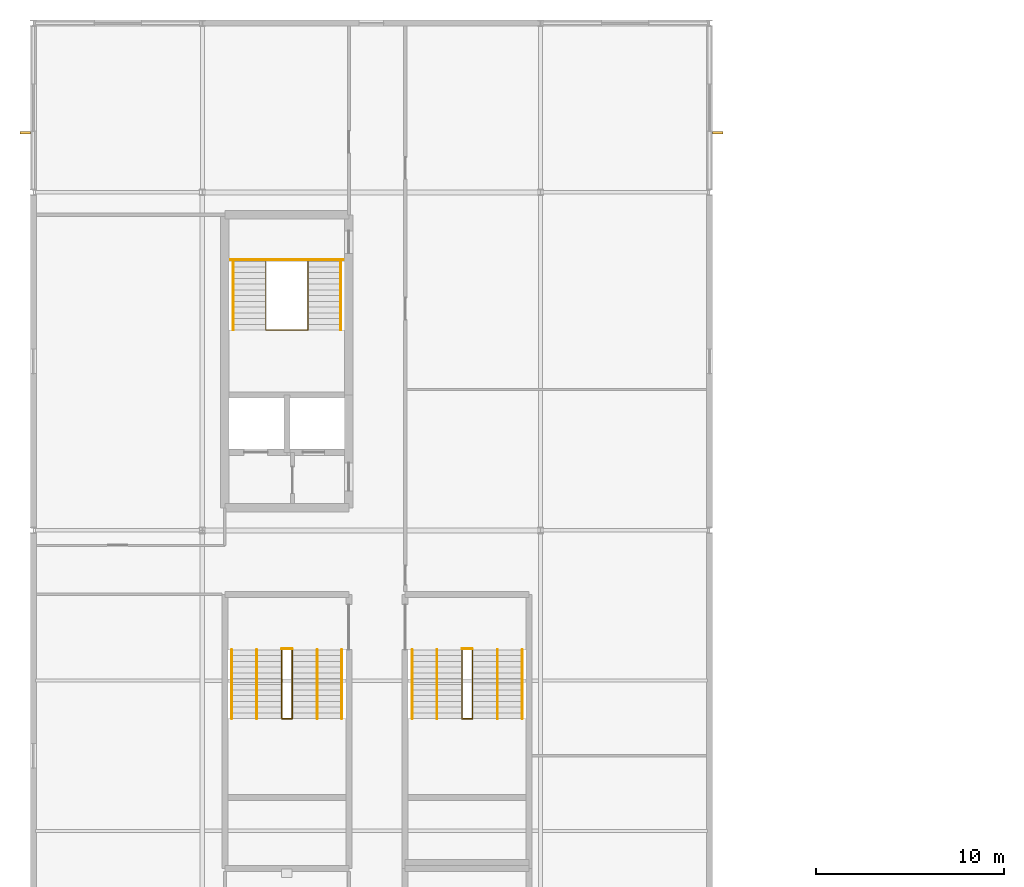
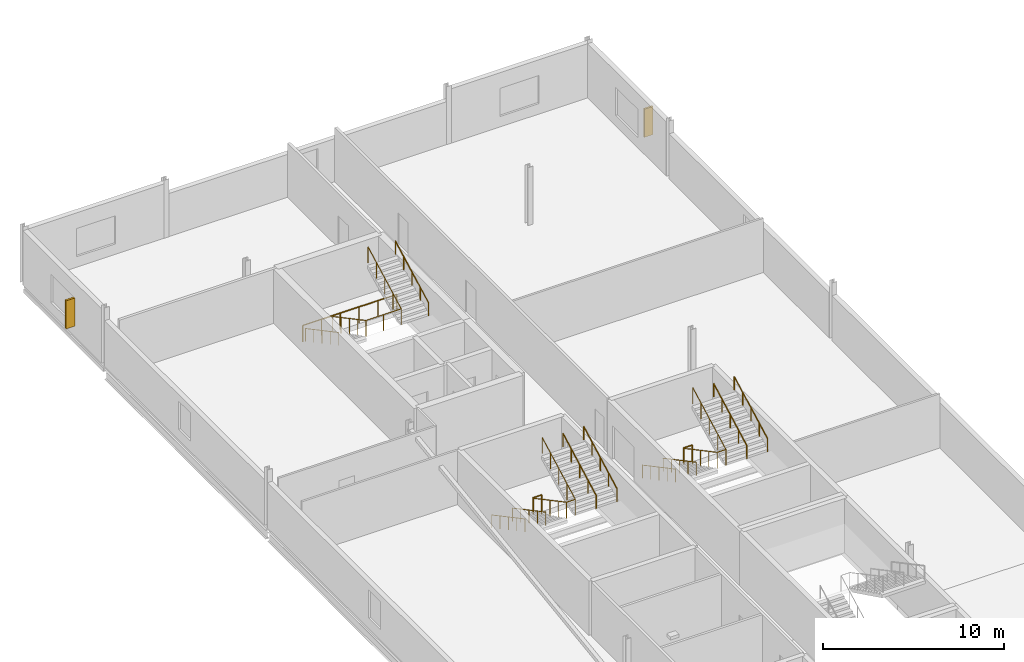
# One storey, part 24 of 27: 16 railings, 2 shading devices.
"""IFC4 building model written with IfcOpenShell, lengths in metres."""

from ifc_helpers import new_model, si_unit, direction, frame, origin, origin_2d, place, context, subcontext, project, spatial, rectangle, circle, extrude, material, type_object, element, save


model = new_model("IFC4")

# Units and contexts
model_context = context("Model", 3, precision=1e-05, world=origin(), true_north=direction((0.0, 1.0)))
body_context = subcontext(model_context, "Body", "Model", "MODEL_VIEW")
ifc_project = project(units=[si_unit("LENGTHUNIT", "METRE"), si_unit("AREAUNIT", "SQUARE_METRE"), si_unit("VOLUMEUNIT", "CUBIC_METRE"), si_unit("PLANEANGLEUNIT", "RADIAN"), si_unit("MASSUNIT", "GRAM", prefix="KILO")], contexts=[model_context])

# Site, building, storey
site_placement = place(None, origin())
site = spatial("IfcSite", under=ifc_project, at=site_placement, CompositionType="ELEMENT")
building_placement = place(site_placement, origin())
building = spatial("IfcBuilding", under=site, at=building_placement, Name="Kisiwana Market Hall", CompositionType="ELEMENT")
storey_placement = place(building_placement, frame((0.0, 0.0, 41.699951171875)))
storey = spatial("IfcBuildingStorey", under=building, at=storey_placement, Name="L09", CompositionType="ELEMENT", Elevation=41.699951171875)

# Railings
ifc_material_1 = material(Name="Steel S275", Category="steel")
railing_type_1 = type_object("IfcRailingType", Name="RL-GUARD-1100", PredefinedType="GUARDRAIL", material=ifc_material_1)
railing_1_placement = place(storey_placement, frame((12.375, 98.325439453125, 0.0)))
element("IfcRailing", 1, at=railing_1_placement, inside=storey, type_object=railing_type_1, Name="Stair ST-W1-L09 inner-well guardrail (RL-1211)", PredefinedType="GUARDRAIL", context=body_context, shape_type="SweptSolid", body=[
    extrude(circle(Radius=0.02392578125, at=origin_2d()), frame((0.0, 0.0, 1.076171875), z_axis=(0.0, -0.88255331184, 0.47021234752), x_axis=(1.0, 0.0, 0.0)), (0.0, 0.0, 1.0), 4.14697265625),
    extrude(circle(Radius=0.02392578125, at=origin_2d()), frame((0.0, -3.659912109375, 3.02587890625), z_axis=(1.0, 0.0, 0.0), x_axis=(0.0, 1.0, 0.0)), (0.0, 0.0, 1.0), 2.25),
    extrude(circle(Radius=0.02392578125, at=origin_2d()), frame((2.25, -3.659912109375, 3.02587890625), z_axis=(0.0, 0.882528880096, 0.470258201201), x_axis=(-1.0, 0.0, 0.0)), (0.0, 0.0, 1.0), 4.14697265625),
    extrude(circle(Radius=0.02099609375, at=origin_2d()), origin(), (0.0, 0.0, 1.0), 1.052001953125),
    extrude(circle(Radius=0.02099609375, at=origin_2d()), frame((0.0, -0.9150390625, 0.487548828125)), (0.0, 0.0, 1.0), 1.052001953125),
    extrude(circle(Radius=0.02099609375, at=origin_2d()), frame((0.0, -1.830078125, 0.97509765625)), (0.0, 0.0, 1.0), 1.052001953125),
    extrude(circle(Radius=0.02099609375, at=origin_2d()), frame((0.0, -2.744873046875, 1.46240234375)), (0.0, 0.0, 1.0), 1.052001953125),
    extrude(circle(Radius=0.02099609375, at=origin_2d()), frame((0.0, -3.659912109375, 1.949951171875)), (0.0, 0.0, 1.0), 1.052001953125),
    extrude(circle(Radius=0.02099609375, at=origin_2d()), frame((1.125, -3.659912109375, 1.949951171875)), (0.0, 0.0, 1.0), 1.052001953125),
    extrude(circle(Radius=0.02099609375, at=origin_2d()), frame((2.25, -3.659912109375, 1.949951171875)), (0.0, 0.0, 1.0), 1.052001953125),
    extrude(circle(Radius=0.02099609375, at=origin_2d()), frame((2.25, -2.744873046875, 2.4375)), (0.0, 0.0, 1.0), 1.052001953125),
    extrude(circle(Radius=0.02099609375, at=origin_2d()), frame((2.25, -1.830078125, 2.925048828125)), (0.0, 0.0, 1.0), 1.052001953125),
    extrude(circle(Radius=0.02099609375, at=origin_2d()), frame((2.25, -0.9150390625, 3.41259765625)), (0.0, 0.0, 1.0), 1.052001953125),
    extrude(circle(Radius=0.02099609375, at=origin_2d()), frame((2.25, 0.0, 3.900146484375)), (0.0, 0.0, 1.0), 1.052001953125),
])
railing_2_placement = place(storey_placement, frame((10.5048828125, 98.405517578125, 0.0)))
element("IfcRailing", 2, at=railing_2_placement, inside=storey, type_object=railing_type_1, Name="Stair ST-W1-L09 landing edge guardrail (RL-1214)", PredefinedType="GUARDRAIL", context=body_context, shape_type="SweptSolid", body=[
    extrude(circle(Radius=0.02392578125, at=origin_2d()), frame((0.0, 0.0, 1.076171875), z_axis=(1.0, 0.0, 0.0), x_axis=(0.0, 1.0, 0.0)), (0.0, 0.0, 1.0), 5.990234375),
    extrude(circle(Radius=0.02099609375, at=origin_2d()), origin(), (0.0, 0.0, 1.0), 1.052001953125),
    extrude(circle(Radius=0.02099609375, at=origin_2d()), frame((1.197998046875, 0.0, 0.0)), (0.0, 0.0, 1.0), 1.052001953125),
    extrude(circle(Radius=0.02099609375, at=origin_2d()), frame((2.39599609375, 0.0, 0.0)), (0.0, 0.0, 1.0), 1.052001953125),
    extrude(circle(Radius=0.02099609375, at=origin_2d()), frame((3.59423828125, 0.0, 0.0)), (0.0, 0.0, 1.0), 1.052001953125),
    extrude(circle(Radius=0.02099609375, at=origin_2d()), frame((4.792236328125, 0.0, 0.0)), (0.0, 0.0, 1.0), 1.052001953125),
    extrude(circle(Radius=0.02099609375, at=origin_2d()), frame((5.990234375, 0.0, 0.0)), (0.0, 0.0, 1.0), 1.052001953125),
])
railing_3_placement = place(storey_placement, frame((13.219970703125, 77.639892578125, 0.0)))
element("IfcRailing", 3, at=railing_3_placement, inside=storey, type_object=railing_type_1, Name="Stair ST-W4-L09 inner-well guardrail (RL-1229)", PredefinedType="GUARDRAIL", context=body_context, shape_type="SweptSolid", body=[
    extrude(circle(Radius=0.02392578125, at=origin_2d()), frame((0.0, 0.0, 1.076171875), z_axis=(0.0, -0.88255331184, 0.47021234752), x_axis=(1.0, 0.0, 0.0)), (0.0, 0.0, 1.0), 4.14697265625),
    extrude(circle(Radius=0.02392578125, at=origin_2d()), frame((0.0, -3.659912109375, 3.02587890625), z_axis=(1.0, 0.0, 0.0), x_axis=(0.0, 1.0, 0.0)), (0.0, 0.0, 1.0), 0.56005859375),
    extrude(circle(Radius=0.02392578125, at=origin_2d()), frame((0.56005859375, -3.659912109375, 3.02587890625), z_axis=(0.0, 0.882528880096, 0.470258201201), x_axis=(-1.0, 0.0, 0.0)), (0.0, 0.0, 1.0), 4.14697265625),
    extrude(circle(Radius=0.02099609375, at=origin_2d()), origin(), (0.0, 0.0, 1.0), 1.052001953125),
    extrude(circle(Radius=0.02099609375, at=origin_2d()), frame((0.0, -0.9150390625, 0.487548828125)), (0.0, 0.0, 1.0), 1.052001953125),
    extrude(circle(Radius=0.02099609375, at=origin_2d()), frame((0.0, -1.830078125, 0.97509765625)), (0.0, 0.0, 1.0), 1.052001953125),
    extrude(circle(Radius=0.02099609375, at=origin_2d()), frame((0.0, -2.744873046875, 1.46240234375)), (0.0, 0.0, 1.0), 1.052001953125),
    extrude(circle(Radius=0.02099609375, at=origin_2d()), frame((0.0, -3.659912109375, 1.949951171875)), (0.0, 0.0, 1.0), 1.052001953125),
    extrude(circle(Radius=0.02099609375, at=origin_2d()), frame((0.56005859375, -3.659912109375, 1.949951171875)), (0.0, 0.0, 1.0), 1.052001953125),
    extrude(circle(Radius=0.02099609375, at=origin_2d()), frame((0.56005859375, -2.744873046875, 2.4375)), (0.0, 0.0, 1.0), 1.052001953125),
    extrude(circle(Radius=0.02099609375, at=origin_2d()), frame((0.56005859375, -1.830078125, 2.925048828125)), (0.0, 0.0, 1.0), 1.052001953125),
    extrude(circle(Radius=0.02099609375, at=origin_2d()), frame((0.56005859375, -0.9150390625, 3.41259765625)), (0.0, 0.0, 1.0), 1.052001953125),
    extrude(circle(Radius=0.02099609375, at=origin_2d()), frame((0.56005859375, 0.0, 3.900146484375)), (0.0, 0.0, 1.0), 1.052001953125),
])
railing_4_placement = place(storey_placement, frame((13.219970703125, 77.68994140625, 0.0)))
element("IfcRailing", 4, at=railing_4_placement, inside=storey, type_object=railing_type_1, Name="Stair ST-W4-L09 landing edge guardrail (RL-1234)", PredefinedType="GUARDRAIL", context=body_context, shape_type="SweptSolid", body=[
    extrude(circle(Radius=0.02392578125, at=origin_2d()), frame((0.0, 0.0, 1.076171875), z_axis=(1.0, 0.0, 0.0), x_axis=(0.0, 1.0, 0.0)), (0.0, 0.0, 1.0), 0.56005859375),
    extrude(circle(Radius=0.02099609375, at=origin_2d()), origin(), (0.0, 0.0, 1.0), 1.052001953125),
    extrude(circle(Radius=0.02099609375, at=origin_2d()), frame((0.56005859375, 0.0, 0.0)), (0.0, 0.0, 1.0), 1.052001953125),
])
railing_5_placement = place(storey_placement, frame((22.820068359375, 77.639892578125, 0.0)))
element("IfcRailing", 5, at=railing_5_placement, inside=storey, type_object=railing_type_1, Name="Stair ST-W8-L09 inner-well guardrail (RL-1259)", PredefinedType="GUARDRAIL", context=body_context, shape_type="SweptSolid", body=[
    extrude(circle(Radius=0.02392578125, at=origin_2d()), frame((0.0, 0.0, 1.076171875), z_axis=(0.0, -0.88255331184, 0.47021234752), x_axis=(1.0, 0.0, 0.0)), (0.0, 0.0, 1.0), 4.14697265625),
    extrude(circle(Radius=0.02392578125, at=origin_2d()), frame((0.0, -3.659912109375, 3.02587890625), z_axis=(1.0, 0.0, 0.0), x_axis=(0.0, 1.0, 0.0)), (0.0, 0.0, 1.0), 0.559814453125),
    extrude(circle(Radius=0.02392578125, at=origin_2d()), frame((0.559814453125, -3.659912109375, 3.02587890625), z_axis=(0.0, 0.882528880096, 0.470258201201), x_axis=(-1.0, 0.0, 0.0)), (0.0, 0.0, 1.0), 4.14697265625),
    extrude(circle(Radius=0.02099609375, at=origin_2d()), origin(), (0.0, 0.0, 1.0), 1.052001953125),
    extrude(circle(Radius=0.02099609375, at=origin_2d()), frame((0.0, -0.9150390625, 0.487548828125)), (0.0, 0.0, 1.0), 1.052001953125),
    extrude(circle(Radius=0.02099609375, at=origin_2d()), frame((0.0, -1.830078125, 0.97509765625)), (0.0, 0.0, 1.0), 1.052001953125),
    extrude(circle(Radius=0.02099609375, at=origin_2d()), frame((0.0, -2.744873046875, 1.46240234375)), (0.0, 0.0, 1.0), 1.052001953125),
    extrude(circle(Radius=0.02099609375, at=origin_2d()), frame((0.0, -3.659912109375, 1.949951171875)), (0.0, 0.0, 1.0), 1.052001953125),
    extrude(circle(Radius=0.02099609375, at=origin_2d()), frame((0.559814453125, -3.659912109375, 1.949951171875)), (0.0, 0.0, 1.0), 1.052001953125),
    extrude(circle(Radius=0.02099609375, at=origin_2d()), frame((0.559814453125, -2.744873046875, 2.4375)), (0.0, 0.0, 1.0), 1.052001953125),
    extrude(circle(Radius=0.02099609375, at=origin_2d()), frame((0.559814453125, -1.830078125, 2.925048828125)), (0.0, 0.0, 1.0), 1.052001953125),
    extrude(circle(Radius=0.02099609375, at=origin_2d()), frame((0.559814453125, -0.9150390625, 3.41259765625)), (0.0, 0.0, 1.0), 1.052001953125),
    extrude(circle(Radius=0.02099609375, at=origin_2d()), frame((0.559814453125, 0.0, 3.900146484375)), (0.0, 0.0, 1.0), 1.052001953125),
])
railing_6_placement = place(storey_placement, frame((22.820068359375, 77.68994140625, 0.0)))
element("IfcRailing", 6, at=railing_6_placement, inside=storey, type_object=railing_type_1, Name="Stair ST-W8-L09 landing edge guardrail (RL-1264)", PredefinedType="GUARDRAIL", context=body_context, shape_type="SweptSolid", body=[
    extrude(circle(Radius=0.02392578125, at=origin_2d()), frame((0.0, 0.0, 1.076171875), z_axis=(1.0, 0.0, 0.0), x_axis=(0.0, 1.0, 0.0)), (0.0, 0.0, 1.0), 0.559814453125),
    extrude(circle(Radius=0.02099609375, at=origin_2d()), origin(), (0.0, 0.0, 1.0), 1.052001953125),
    extrude(circle(Radius=0.02099609375, at=origin_2d()), frame((0.559814453125, 0.0, 0.0)), (0.0, 0.0, 1.0), 1.052001953125),
])
ifc_material_2 = material(Name="Steel S275", Category="steel")
railing_type_2 = type_object("IfcRailingType", Name="RL-HAND-900", PredefinedType="HANDRAIL", material=ifc_material_2)
railing_7_placement = place(storey_placement, frame((10.635009765625, 98.325439453125, 0.0)))
element("IfcRailing", 7, at=railing_7_placement, inside=storey, type_object=railing_type_2, Name="Stair ST-W1-L09 flight 1 handrail (RL-1212)", PredefinedType="HANDRAIL", context=body_context, shape_type="SweptSolid", body=[
    extrude(circle(Radius=0.02392578125, at=origin_2d()), frame((0.0, 0.0, 0.8759765625), z_axis=(0.0, -0.88255331184, 0.47021234752), x_axis=(1.0, 0.0, 0.0)), (0.0, 0.0, 1.0), 4.14697265625),
    extrude(circle(Radius=0.02099609375, at=origin_2d()), origin(), (0.0, 0.0, 1.0), 0.851806640625),
    extrude(circle(Radius=0.02099609375, at=origin_2d()), frame((0.0, -0.9150390625, 0.487548828125)), (0.0, 0.0, 1.0), 0.851806640625),
    extrude(circle(Radius=0.02099609375, at=origin_2d()), frame((0.0, -1.830078125, 0.97509765625)), (0.0, 0.0, 1.0), 0.851806640625),
    extrude(circle(Radius=0.02099609375, at=origin_2d()), frame((0.0, -2.744873046875, 1.46240234375)), (0.0, 0.0, 1.0), 0.851806640625),
    extrude(circle(Radius=0.02099609375, at=origin_2d()), frame((0.0, -3.659912109375, 1.949951171875)), (0.0, 0.0, 1.0), 0.851806640625),
])
railing_8_placement = place(storey_placement, frame((16.364990234375, 94.66552734375, 1.949951171875)))
element("IfcRailing", 8, at=railing_8_placement, inside=storey, type_object=railing_type_2, Name="Stair ST-W1-L09 flight 2 handrail (RL-1213)", PredefinedType="HANDRAIL", context=body_context, shape_type="SweptSolid", body=[
    extrude(circle(Radius=0.02392578125, at=origin_2d()), frame((0.0, 0.0, 0.8759765625), z_axis=(0.0, 0.882528880096, 0.470258201201), x_axis=(-1.0, 0.0, 0.0)), (0.0, 0.0, 1.0), 4.14697265625),
    extrude(circle(Radius=0.02099609375, at=origin_2d()), origin(), (0.0, 0.0, 1.0), 0.851806640625),
    extrude(circle(Radius=0.02099609375, at=origin_2d()), frame((0.0, 0.9150390625, 0.487548828125)), (0.0, 0.0, 1.0), 0.851806640625),
    extrude(circle(Radius=0.02099609375, at=origin_2d()), frame((0.0, 1.830078125, 0.97509765625)), (0.0, 0.0, 1.0), 0.851806640625),
    extrude(circle(Radius=0.02099609375, at=origin_2d()), frame((0.0, 2.744873046875, 1.462646484375)), (0.0, 0.0, 1.0), 0.851806640625),
    extrude(circle(Radius=0.02099609375, at=origin_2d()), frame((0.0, 3.659912109375, 1.9501953125)), (0.0, 0.0, 1.0), 0.851806640625),
])
railing_9_placement = place(storey_placement, frame((10.570068359375, 77.639892578125, 0.0)))
element("IfcRailing", 9, at=railing_9_placement, inside=storey, type_object=railing_type_2, Name="Stair ST-W4-L09 flight 1 handrail (RL-1230)", PredefinedType="HANDRAIL", context=body_context, shape_type="SweptSolid", body=[
    extrude(circle(Radius=0.02392578125, at=origin_2d()), frame((0.0, 0.0, 0.8759765625), z_axis=(0.0, -0.88255331184, 0.47021234752), x_axis=(1.0, 0.0, 0.0)), (0.0, 0.0, 1.0), 4.14697265625),
    extrude(circle(Radius=0.02099609375, at=origin_2d()), origin(), (0.0, 0.0, 1.0), 0.851806640625),
    extrude(circle(Radius=0.02099609375, at=origin_2d()), frame((0.0, -0.9150390625, 0.487548828125)), (0.0, 0.0, 1.0), 0.851806640625),
    extrude(circle(Radius=0.02099609375, at=origin_2d()), frame((0.0, -1.830078125, 0.97509765625)), (0.0, 0.0, 1.0), 0.851806640625),
    extrude(circle(Radius=0.02099609375, at=origin_2d()), frame((0.0, -2.744873046875, 1.46240234375)), (0.0, 0.0, 1.0), 0.851806640625),
    extrude(circle(Radius=0.02099609375, at=origin_2d()), frame((0.0, -3.659912109375, 1.949951171875)), (0.0, 0.0, 1.0), 0.851806640625),
])
railing_10_placement = place(storey_placement, frame((16.429931640625, 73.97998046875, 1.949951171875)))
element("IfcRailing", 10, at=railing_10_placement, inside=storey, type_object=railing_type_2, Name="Stair ST-W4-L09 flight 2 handrail (RL-1231)", PredefinedType="HANDRAIL", context=body_context, shape_type="SweptSolid", body=[
    extrude(circle(Radius=0.02392578125, at=origin_2d()), frame((0.0, 0.0, 0.8759765625), z_axis=(0.0, 0.882528880096, 0.470258201201), x_axis=(-1.0, 0.0, 0.0)), (0.0, 0.0, 1.0), 4.14697265625),
    extrude(circle(Radius=0.02099609375, at=origin_2d()), origin(), (0.0, 0.0, 1.0), 0.851806640625),
    extrude(circle(Radius=0.02099609375, at=origin_2d()), frame((0.0, 0.9150390625, 0.487548828125)), (0.0, 0.0, 1.0), 0.851806640625),
    extrude(circle(Radius=0.02099609375, at=origin_2d()), frame((0.0, 1.830078125, 0.97509765625)), (0.0, 0.0, 1.0), 0.851806640625),
    extrude(circle(Radius=0.02099609375, at=origin_2d()), frame((0.0, 2.744873046875, 1.462646484375)), (0.0, 0.0, 1.0), 0.851806640625),
    extrude(circle(Radius=0.02099609375, at=origin_2d()), frame((0.0, 3.659912109375, 1.9501953125)), (0.0, 0.0, 1.0), 0.851806640625),
])
railing_11_placement = place(storey_placement, frame((11.889892578125, 77.639892578125, 0.0)))
element("IfcRailing", 11, at=railing_11_placement, inside=storey, type_object=railing_type_2, Name="Stair ST-W4-L09 flight 1 intermediate handrail (RL-1232)", PredefinedType="HANDRAIL", context=body_context, shape_type="SweptSolid", body=[
    extrude(circle(Radius=0.02392578125, at=origin_2d()), frame((0.0, 0.0, 0.8759765625), z_axis=(0.0, -0.88255331184, 0.47021234752), x_axis=(1.0, 0.0, 0.0)), (0.0, 0.0, 1.0), 4.14697265625),
    extrude(circle(Radius=0.02099609375, at=origin_2d()), origin(), (0.0, 0.0, 1.0), 0.851806640625),
    extrude(circle(Radius=0.02099609375, at=origin_2d()), frame((0.0, -0.9150390625, 0.487548828125)), (0.0, 0.0, 1.0), 0.851806640625),
    extrude(circle(Radius=0.02099609375, at=origin_2d()), frame((0.0, -1.830078125, 0.97509765625)), (0.0, 0.0, 1.0), 0.851806640625),
    extrude(circle(Radius=0.02099609375, at=origin_2d()), frame((0.0, -2.744873046875, 1.46240234375)), (0.0, 0.0, 1.0), 0.851806640625),
    extrude(circle(Radius=0.02099609375, at=origin_2d()), frame((0.0, -3.659912109375, 1.949951171875)), (0.0, 0.0, 1.0), 0.851806640625),
])
railing_12_placement = place(storey_placement, frame((15.110107421875, 73.97998046875, 1.949951171875)))
element("IfcRailing", 12, at=railing_12_placement, inside=storey, type_object=railing_type_2, Name="Stair ST-W4-L09 flight 2 intermediate handrail (RL-1233)", PredefinedType="HANDRAIL", context=body_context, shape_type="SweptSolid", body=[
    extrude(circle(Radius=0.02392578125, at=origin_2d()), frame((0.0, 0.0, 0.8759765625), z_axis=(0.0, 0.882528880096, 0.470258201201), x_axis=(-1.0, 0.0, 0.0)), (0.0, 0.0, 1.0), 4.14697265625),
    extrude(circle(Radius=0.02099609375, at=origin_2d()), origin(), (0.0, 0.0, 1.0), 0.851806640625),
    extrude(circle(Radius=0.02099609375, at=origin_2d()), frame((0.0, 0.9150390625, 0.487548828125)), (0.0, 0.0, 1.0), 0.851806640625),
    extrude(circle(Radius=0.02099609375, at=origin_2d()), frame((0.0, 1.830078125, 0.97509765625)), (0.0, 0.0, 1.0), 0.851806640625),
    extrude(circle(Radius=0.02099609375, at=origin_2d()), frame((0.0, 2.744873046875, 1.462646484375)), (0.0, 0.0, 1.0), 0.851806640625),
    extrude(circle(Radius=0.02099609375, at=origin_2d()), frame((0.0, 3.659912109375, 1.9501953125)), (0.0, 0.0, 1.0), 0.851806640625),
])
railing_13_placement = place(storey_placement, frame((20.169921875, 77.639892578125, 0.0)))
element("IfcRailing", 13, at=railing_13_placement, inside=storey, type_object=railing_type_2, Name="Stair ST-W8-L09 flight 1 handrail (RL-1260)", PredefinedType="HANDRAIL", context=body_context, shape_type="SweptSolid", body=[
    extrude(circle(Radius=0.02392578125, at=origin_2d()), frame((0.0, 0.0, 0.8759765625), z_axis=(0.0, -0.88255331184, 0.47021234752), x_axis=(1.0, 0.0, 0.0)), (0.0, 0.0, 1.0), 4.14697265625),
    extrude(circle(Radius=0.02099609375, at=origin_2d()), origin(), (0.0, 0.0, 1.0), 0.851806640625),
    extrude(circle(Radius=0.02099609375, at=origin_2d()), frame((0.0, -0.9150390625, 0.487548828125)), (0.0, 0.0, 1.0), 0.851806640625),
    extrude(circle(Radius=0.02099609375, at=origin_2d()), frame((0.0, -1.830078125, 0.97509765625)), (0.0, 0.0, 1.0), 0.851806640625),
    extrude(circle(Radius=0.02099609375, at=origin_2d()), frame((0.0, -2.744873046875, 1.46240234375)), (0.0, 0.0, 1.0), 0.851806640625),
    extrude(circle(Radius=0.02099609375, at=origin_2d()), frame((0.0, -3.659912109375, 1.949951171875)), (0.0, 0.0, 1.0), 0.851806640625),
])
railing_14_placement = place(storey_placement, frame((26.030029296875, 73.97998046875, 1.949951171875)))
element("IfcRailing", 14, at=railing_14_placement, inside=storey, type_object=railing_type_2, Name="Stair ST-W8-L09 flight 2 handrail (RL-1261)", PredefinedType="HANDRAIL", context=body_context, shape_type="SweptSolid", body=[
    extrude(circle(Radius=0.02392578125, at=origin_2d()), frame((0.0, 0.0, 0.8759765625), z_axis=(0.0, 0.882528880096, 0.470258201201), x_axis=(-1.0, 0.0, 0.0)), (0.0, 0.0, 1.0), 4.14697265625),
    extrude(circle(Radius=0.02099609375, at=origin_2d()), origin(), (0.0, 0.0, 1.0), 0.851806640625),
    extrude(circle(Radius=0.02099609375, at=origin_2d()), frame((0.0, 0.9150390625, 0.487548828125)), (0.0, 0.0, 1.0), 0.851806640625),
    extrude(circle(Radius=0.02099609375, at=origin_2d()), frame((0.0, 1.830078125, 0.97509765625)), (0.0, 0.0, 1.0), 0.851806640625),
    extrude(circle(Radius=0.02099609375, at=origin_2d()), frame((0.0, 2.744873046875, 1.462646484375)), (0.0, 0.0, 1.0), 0.851806640625),
    extrude(circle(Radius=0.02099609375, at=origin_2d()), frame((0.0, 3.659912109375, 1.9501953125)), (0.0, 0.0, 1.0), 0.851806640625),
])
railing_15_placement = place(storey_placement, frame((21.489990234375, 77.639892578125, 0.0)))
element("IfcRailing", 15, at=railing_15_placement, inside=storey, type_object=railing_type_2, Name="Stair ST-W8-L09 flight 1 intermediate handrail (RL-1262)", PredefinedType="HANDRAIL", context=body_context, shape_type="SweptSolid", body=[
    extrude(circle(Radius=0.02392578125, at=origin_2d()), frame((0.0, 0.0, 0.8759765625), z_axis=(0.0, -0.88255331184, 0.47021234752), x_axis=(1.0, 0.0, 0.0)), (0.0, 0.0, 1.0), 4.14697265625),
    extrude(circle(Radius=0.02099609375, at=origin_2d()), origin(), (0.0, 0.0, 1.0), 0.851806640625),
    extrude(circle(Radius=0.02099609375, at=origin_2d()), frame((0.0, -0.9150390625, 0.487548828125)), (0.0, 0.0, 1.0), 0.851806640625),
    extrude(circle(Radius=0.02099609375, at=origin_2d()), frame((0.0, -1.830078125, 0.97509765625)), (0.0, 0.0, 1.0), 0.851806640625),
    extrude(circle(Radius=0.02099609375, at=origin_2d()), frame((0.0, -2.744873046875, 1.46240234375)), (0.0, 0.0, 1.0), 0.851806640625),
    extrude(circle(Radius=0.02099609375, at=origin_2d()), frame((0.0, -3.659912109375, 1.949951171875)), (0.0, 0.0, 1.0), 0.851806640625),
])
railing_16_placement = place(storey_placement, frame((24.7099609375, 73.97998046875, 1.949951171875)))
element("IfcRailing", 16, at=railing_16_placement, inside=storey, type_object=railing_type_2, Name="Stair ST-W8-L09 flight 2 intermediate handrail (RL-1263)", PredefinedType="HANDRAIL", context=body_context, shape_type="SweptSolid", body=[
    extrude(circle(Radius=0.02392578125, at=origin_2d()), frame((0.0, 0.0, 0.8759765625), z_axis=(0.0, 0.882528880096, 0.470258201201), x_axis=(-1.0, 0.0, 0.0)), (0.0, 0.0, 1.0), 4.14697265625),
    extrude(circle(Radius=0.02099609375, at=origin_2d()), origin(), (0.0, 0.0, 1.0), 0.851806640625),
    extrude(circle(Radius=0.02099609375, at=origin_2d()), frame((0.0, 0.9150390625, 0.487548828125)), (0.0, 0.0, 1.0), 0.851806640625),
    extrude(circle(Radius=0.02099609375, at=origin_2d()), frame((0.0, 1.830078125, 0.97509765625)), (0.0, 0.0, 1.0), 0.851806640625),
    extrude(circle(Radius=0.02099609375, at=origin_2d()), frame((0.0, 2.744873046875, 1.462646484375)), (0.0, 0.0, 1.0), 0.851806640625),
    extrude(circle(Radius=0.02099609375, at=origin_2d()), frame((0.0, 3.659912109375, 1.9501953125)), (0.0, 0.0, 1.0), 0.851806640625),
])

# Shading devices
ifc_material_3 = material(Name="Aluminium alloy 6063-T6", Category="aluminium")
shading_device_type = type_object("IfcShadingDeviceType", Name="SHD-SHUTTER-V", PredefinedType="SHUTTER", material=ifc_material_3)
for number, where, z_axis, x_axis, name in (
    (17, (-0.4326171875, 105.169921875, 0.7001953125), (0.0, 0.0, 1.0), (0.0, 1.0, 0.0), "Vertical solar fin SHD-190 SD-189"),
    (18, (36.4326171875, 105.169921875, 0.7001953125), (0.0, 0.0, 1.0), (0.0, 1.0, 0.0), "Vertical solar fin SHD-192 SD-191"),
):
    element("IfcShadingDevice", number, at=place(storey_placement, frame(where, z_axis=z_axis, x_axis=x_axis)), inside=storey, type_object=shading_device_type, Name=name, PredefinedType="SHUTTER", context=body_context, shape_type="SweptSolid", body=[
        extrude(rectangle(XDim=0.1201171875, YDim=0.550048828125, at=origin_2d()), origin(), (0.0, 0.0, 1.0), 1.89990234375),
    ])

save(model, "model.ifc")
